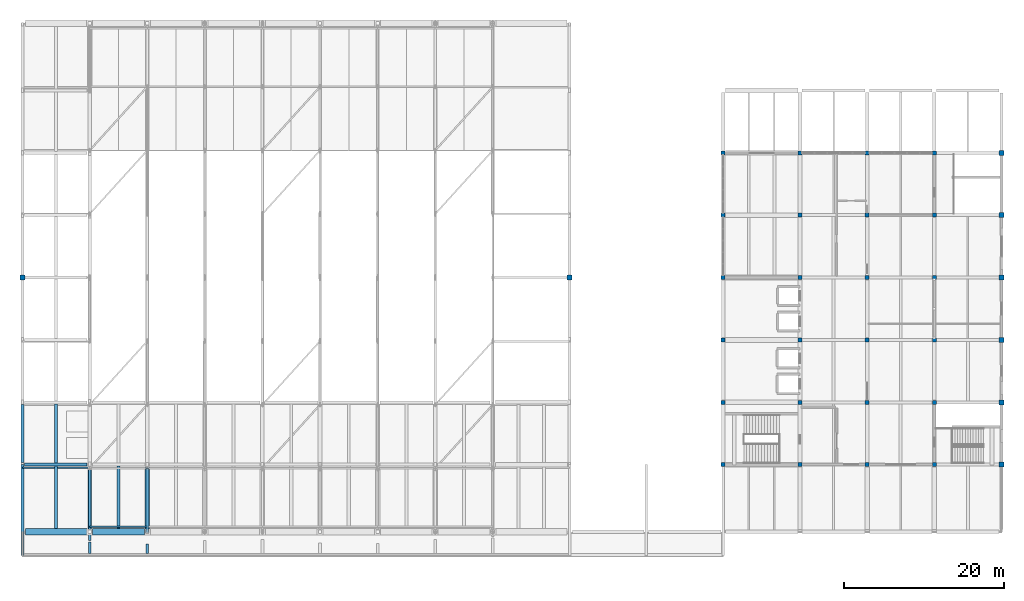
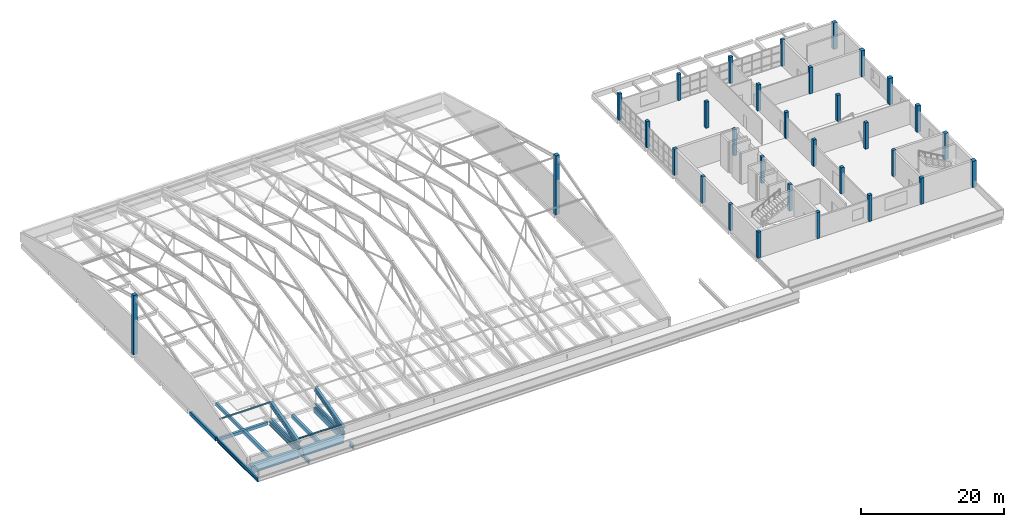
# One storey, part 1 of 53: 32 columns, 16 beams, 4 members.
"""IFC4 building model written with IfcOpenShell, lengths in metres."""

from ifc_helpers import new_model, si_unit, direction, frame, origin, origin_2d, place, context, subcontext, project, spatial, rectangle, hollow_rectangle, i_section, extrude, material, material_profile, profile_set, type_object, element, save


model = new_model("IFC4")

# Units and contexts
model_context = context("Model", 3, precision=1e-05, world=origin(), true_north=direction((0.0, 1.0)))
body_context = subcontext(model_context, "Body", "Model", "MODEL_VIEW")
ifc_project = project(units=[si_unit("LENGTHUNIT", "METRE"), si_unit("AREAUNIT", "SQUARE_METRE"), si_unit("VOLUMEUNIT", "CUBIC_METRE"), si_unit("PLANEANGLEUNIT", "RADIAN"), si_unit("MASSUNIT", "GRAM", prefix="KILO")], contexts=[model_context])

# Site, building, storey
site_placement = place(None, origin())
site = spatial("IfcSite", under=ifc_project, at=site_placement, CompositionType="ELEMENT")
building_placement = place(site_placement, origin())
building = spatial("IfcBuilding", under=site, at=building_placement, Name="Pellamere Symphony Hall", CompositionType="ELEMENT")
storey_placement = place(building_placement, frame((0.0, 0.0, 24.0)))
storey = spatial("IfcBuildingStorey", under=building, at=storey_placement, Name="L05", CompositionType="ELEMENT", Elevation=24.0)

# Columns
ifc_material_1 = material(Name="Concrete 35 MPa", Category="concrete")
ifc_material_profile_1 = material_profile(ifc_material_1, rectangle(XDim=0.5, YDim=0.5, at=origin_2d()), Name="RC 500x500")
ifc_profile_set_1 = profile_set([ifc_material_profile_1], Name="Concrete 35 MPa")
column_type_1 = type_object("IfcColumnType", Name="RC Column CC-10 500x500", PredefinedType="COLUMN", material=ifc_profile_set_1)
for number, where, z_axis, x_axis, name in (
    (1, (138.0, 38.39990234375, 0.0), (0.0, 0.0, 1.0), (1.0, 0.0, 0.0), "Column C-18F (L05)"),
    (2, (138.0, 46.199951171875, 0.0), (0.0, 0.0, 1.0), (1.0, 0.0, 0.0), "Column C-18G (L05)"),
    (3, (138.0, 54.0, 0.0), (0.0, 0.0, 1.0), (1.0, 0.0, 0.0), "Column C-18H (L05)"),
    (4, (138.0, 61.800048828125, 0.0), (0.0, 0.0, 1.0), (1.0, 0.0, 0.0), "Column C-18I (L05)"),
    (5, (138.0, 69.60009765625, 0.0), (0.0, 0.0, 1.0), (1.0, 0.0, 0.0), "Column C-18J (L05)"),
    (6, (138.0, 77.39990234375, 0.0), (0.0, 0.0, 1.0), (1.0, 0.0, 0.0), "Column C-18K (L05)"),
    (7, (147.60009765625, 38.39990234375, 0.0), (0.0, 0.0, 1.0), (1.0, 0.0, 0.0), "Column C-19F (L05)"),
    (8, (147.60009765625, 46.199951171875, 0.0), (0.0, 0.0, 1.0), (1.0, 0.0, 0.0), "Column C-19G (L05)"),
    (9, (147.60009765625, 54.0, 0.0), (0.0, 0.0, 1.0), (1.0, 0.0, 0.0), "Column C-19H (L05)"),
    (10, (147.60009765625, 61.800048828125, 0.0), (0.0, 0.0, 1.0), (1.0, 0.0, 0.0), "Column C-19I (L05)"),
    (11, (147.60009765625, 69.60009765625, 0.0), (0.0, 0.0, 1.0), (1.0, 0.0, 0.0), "Column C-19J (L05)"),
    (12, (147.60009765625, 77.39990234375, 0.0), (0.0, 0.0, 1.0), (1.0, 0.0, 0.0), "Column C-19K (L05)"),
    (13, (156.0, 38.39990234375, 0.0), (0.0, 0.0, 1.0), (1.0, 0.0, 0.0), "Column C-20F (L05)"),
    (14, (156.0, 46.199951171875, 0.0), (0.0, 0.0, 1.0), (1.0, 0.0, 0.0), "Column C-20G (L05)"),
    (15, (156.0, 54.0, 0.0), (0.0, 0.0, 1.0), (1.0, 0.0, 0.0), "Column C-20H (L05)"),
    (16, (156.0, 61.800048828125, 0.0), (0.0, 0.0, 1.0), (1.0, 0.0, 0.0), "Column C-20I (L05)"),
    (17, (156.0, 69.60009765625, 0.0), (0.0, 0.0, 1.0), (1.0, 0.0, 0.0), "Column C-20J (L05)"),
    (18, (156.0, 77.39990234375, 0.0), (0.0, 0.0, 1.0), (1.0, 0.0, 0.0), "Column C-20K (L05)"),
    (19, (164.39990234375, 38.39990234375, 0.0), (0.0, 0.0, 1.0), (1.0, 0.0, 0.0), "Column C-21F (L05)"),
    (20, (164.39990234375, 46.199951171875, 0.0), (0.0, 0.0, 1.0), (1.0, 0.0, 0.0), "Column C-21G (L05)"),
    (21, (164.39990234375, 54.0, 0.0), (0.0, 0.0, 1.0), (1.0, 0.0, 0.0), "Column C-21H (L05)"),
    (22, (164.39990234375, 61.800048828125, 0.0), (0.0, 0.0, 1.0), (1.0, 0.0, 0.0), "Column C-21I (L05)"),
    (23, (164.39990234375, 69.60009765625, 0.0), (0.0, 0.0, 1.0), (1.0, 0.0, 0.0), "Column C-21J (L05)"),
    (24, (164.39990234375, 77.39990234375, 0.0), (0.0, 0.0, 1.0), (1.0, 0.0, 0.0), "Column C-21K (L05)"),
):
    element("IfcColumn", number, at=place(storey_placement, frame(where, z_axis=z_axis, x_axis=x_axis)), inside=storey, type_object=column_type_1, Name=name, PredefinedType="COLUMN", context=body_context, shape_type="SweptSolid", body=[
        extrude(rectangle(XDim=0.5, YDim=0.5, at=origin_2d()), origin(), (0.0, 0.0, 1.0), 4.5),
    ])
ifc_material_profile_2 = material_profile(ifc_material_1, rectangle(XDim=0.6201171875, YDim=0.6201171875, at=origin_2d()), Name="RC 620x620")
ifc_profile_set_2 = profile_set([ifc_material_profile_2], Name="Concrete 35 MPa")
column_type_2 = type_object("IfcColumnType", Name="RC Column CCP-06 620x620", PredefinedType="COLUMN", material=ifc_profile_set_2)
for number, where, z_axis, x_axis, name in (
    (25, (172.800048828125, 38.39990234375, 0.0), (0.0, 0.0, 1.0), (1.0, 0.0, 0.0), "Column C-22F (L05)"),
    (26, (172.800048828125, 46.199951171875, 0.0), (0.0, 0.0, 1.0), (1.0, 0.0, 0.0), "Column C-22G (L05)"),
    (27, (172.800048828125, 54.0, 0.0), (0.0, 0.0, 1.0), (1.0, 0.0, 0.0), "Column C-22H (L05)"),
    (28, (172.800048828125, 61.800048828125, 0.0), (0.0, 0.0, 1.0), (1.0, 0.0, 0.0), "Column C-22I (L05)"),
    (29, (172.800048828125, 69.60009765625, 0.0), (0.0, 0.0, 1.0), (1.0, 0.0, 0.0), "Column C-22J (L05)"),
    (30, (172.800048828125, 77.39990234375, 0.0), (0.0, 0.0, 1.0), (1.0, 0.0, 0.0), "Column C-22K (L05)"),
):
    element("IfcColumn", number, at=place(storey_placement, frame(where, z_axis=z_axis, x_axis=x_axis)), inside=storey, type_object=column_type_2, Name=name, PredefinedType="COLUMN", context=body_context, shape_type="SweptSolid", body=[
        extrude(rectangle(XDim=0.6201171875, YDim=0.6201171875, at=origin_2d()), origin(), (0.0, 0.0, 1.0), 4.5),
    ])
for number, where, z_axis, x_axis, name in (
    (31, (50.39990234375, 61.800048828125, 0.0), (0.0, 0.0, 1.0), (1.0, 0.0, 0.0), "Crystal Gable Ridge Column W"),
    (32, (118.800048828125, 61.800048828125, 0.0), (0.0, 0.0, 1.0), (1.0, 0.0, 0.0), "Crystal Gable Ridge Column E"),
):
    element("IfcColumn", number, at=place(storey_placement, frame(where, z_axis=z_axis, x_axis=x_axis)), inside=storey, type_object=column_type_2, Name=name, PredefinedType="COLUMN", context=body_context, shape_type="SweptSolid", body=[
        extrude(rectangle(XDim=0.6201171875, YDim=0.6201171875, at=origin_2d()), origin(), (0.0, 0.0, 1.0), 10.179931640625),
    ])

# Beams
ifc_material_2 = material(Name="Concrete 50 MPa", Category="concrete")
ifc_material_profile_3 = material_profile(ifc_material_2, rectangle(XDim=0.800048828125, YDim=1.199951171875, at=origin_2d()), Name="RC 800x1200")
ifc_profile_set_3 = profile_set([ifc_material_profile_3], Name="Concrete 50 MPa")
beam_type_1 = type_object("IfcBeamType", Name="RC CB-01 800x1200", PredefinedType="BEAM", material=ifc_profile_set_3)
beam_1_placement = place(storey_placement, frame((50.75, 30.0, -0.60009765625), z_axis=(1.0, 0.0, 0.0), x_axis=(0.0, 1.0, 0.0)))
element("IfcBeam", 33, at=beam_1_placement, inside=storey, type_object=beam_type_1, Name="Girder CB-01-X1995 (L05)", PredefinedType="BEAM", context=body_context, shape_type="SweptSolid", body=[
    extrude(rectangle(XDim=0.800048828125, YDim=1.199951171875, at=origin_2d()), origin(), (0.0, 0.0, 1.0), 7.699951171875),
])
beam_2_placement = place(storey_placement, frame((59.14990234375, 30.0, -0.60009765625), z_axis=(1.0, 0.0, 0.0), x_axis=(0.0, 1.0, 0.0)))
element("IfcBeam", 34, at=beam_2_placement, inside=storey, type_object=beam_type_1, Name="Girder CB-01-X1996 (L05)", PredefinedType="BEAM", context=body_context, shape_type="SweptSolid", body=[
    extrude(rectangle(XDim=0.800048828125, YDim=1.199951171875, at=origin_2d()), origin(), (0.0, 0.0, 1.0), 6.5),
])
ifc_material_3 = material(Name="Concrete 40 MPa", Category="concrete")
ifc_material_profile_4 = material_profile(ifc_material_3, rectangle(XDim=0.550048828125, YDim=0.800048828125, at=origin_2d()), Name="RC 550x800")
ifc_profile_set_4 = profile_set([ifc_material_profile_4], Name="Concrete 40 MPa")
beam_type_2 = type_object("IfcBeamType", Name="RC CB-05 550x800", PredefinedType="BEAM", material=ifc_profile_set_4)
beam_3_placement = place(storey_placement, frame((66.0, 30.35009765625, -0.659912109375), z_axis=(0.0, 1.0, 0.0), x_axis=(-1.0, 0.0, 0.0)))
element("IfcBeam", 35, at=beam_3_placement, inside=storey, type_object=beam_type_2, Name="Girder CB-05-Y2086 (L05)", PredefinedType="BEAM", context=body_context, shape_type="SweptSolid", body=[
    extrude(rectangle(XDim=0.550048828125, YDim=0.800048828125, at=origin_2d()), origin(), (0.0, 0.0, 1.0), 7.77490234375),
])
ifc_material_profile_5 = material_profile(ifc_material_3, rectangle(XDim=0.39990234375, YDim=0.60009765625, at=origin_2d()), Name="RC 400x600")
ifc_profile_set_5 = profile_set([ifc_material_profile_5], Name="Concrete 40 MPa")
beam_type_3 = type_object("IfcBeamType", Name="RC CB-09 400x600", PredefinedType="BEAM", material=ifc_profile_set_5)
for number, where, z_axis, x_axis, name in (
    (36, (54.60009765625, 30.39990234375, -0.574951171875), (0.0, 1.0, 0.0), (-1.0, 0.0, 0.0), "Secondary Floor Beam CB-09-M0604 (L05)"),
    (37, (62.39990234375, 30.39990234375, -0.574951171875), (0.0, 1.0, 0.0), (-1.0, 0.0, 0.0), "Secondary Floor Beam CB-09-M0704 (L05)"),
):
    element("IfcBeam", number, at=place(storey_placement, frame(where, z_axis=z_axis, x_axis=x_axis)), inside=storey, type_object=beam_type_3, Name=name, PredefinedType="BEAM", context=body_context, shape_type="SweptSolid", body=[
        extrude(rectangle(XDim=0.39990234375, YDim=0.60009765625, at=origin_2d()), origin(), (0.0, 0.0, 1.0), 7.81005859375),
    ])
ifc_material_profile_6 = material_profile(ifc_material_1, rectangle(XDim=0.35009765625, YDim=0.550048828125, at=origin_2d()), Name="RC 350x550")
ifc_profile_set_6 = profile_set([ifc_material_profile_6], Name="Concrete 35 MPa")
beam_type_4 = type_object("IfcBeamType", Name="RC CB-10 350x550", PredefinedType="BEAM", material=ifc_profile_set_6)
beam_4_placement = place(storey_placement, frame((54.60009765625, 38.590087890625, -0.550048828125), z_axis=(0.0, 1.0, 0.0), x_axis=(-1.0, 0.0, 0.0)))
element("IfcBeam", 38, at=beam_4_placement, inside=storey, type_object=beam_type_4, Name="Secondary Floor Beam CB-10-M0605 (L05)", PredefinedType="BEAM", context=body_context, shape_type="SweptSolid", body=[
    extrude(rectangle(XDim=0.35009765625, YDim=0.550048828125, at=origin_2d()), origin(), (0.0, 0.0, 1.0), 7.419921875),
])
ifc_material_profile_7 = material_profile(ifc_material_3, rectangle(XDim=0.39990234375, YDim=0.699951171875, at=origin_2d()), Name="RC 400x700")
ifc_profile_set_7 = profile_set([ifc_material_profile_7], Name="Concrete 40 MPa")
beam_type_5 = type_object("IfcBeamType", Name="RC CB-13 400x700", PredefinedType="SPANDREL", material=ifc_profile_set_7)
beam_5_placement = place(storey_placement, frame((50.39990234375, 38.675048828125, -0.610107421875), z_axis=(0.0, 1.0, 0.0), x_axis=(-1.0, 0.0, 0.0)))
element("IfcBeam", 39, at=beam_5_placement, inside=storey, type_object=beam_type_5, Name="Girder CB-13-Y2071 (L05)", PredefinedType="SPANDREL", context=body_context, shape_type="SweptSolid", body=[
    extrude(rectangle(XDim=0.39990234375, YDim=0.699951171875, at=origin_2d()), origin(), (0.0, 0.0, 1.0), 7.25),
])
ifc_material_profile_8 = material_profile(ifc_material_3, rectangle(XDim=0.3798828125, YDim=0.52001953125, at=origin_2d()), Name="RC 380x520")
ifc_profile_set_8 = profile_set([ifc_material_profile_8], Name="Concrete 40 MPa")
beam_type_6 = type_object("IfcBeamType", Name="RC CB-21 380x520", PredefinedType="BEAM", material=ifc_profile_set_8)
beam_6_placement = place(storey_placement, frame((50.675048828125, 38.39990234375, -0.52001953125), z_axis=(1.0, 0.0, 0.0), x_axis=(0.0, 1.0, 0.0)))
element("IfcBeam", 40, at=beam_6_placement, inside=storey, type_object=beam_type_6, Name="Girder CB-21-X2010 (L05)", PredefinedType="BEAM", context=body_context, shape_type="SweptSolid", body=[
    extrude(rectangle(XDim=0.3798828125, YDim=0.52001953125, at=origin_2d()), origin(), (0.0, 0.0, 1.0), 7.77490234375),
])
ifc_material_4 = material(Name="Steel CSA G40.21 350W", Category="steel")
ifc_material_profile_9 = material_profile(ifc_material_4, i_section(OverallWidth=0.41796875, OverallDepth=0.912109375, WebThickness=0.019287109375, FlangeThickness=0.031982421875, at=origin_2d()), Name="W920X342")
ifc_profile_set_9 = profile_set([ifc_material_profile_9], Name="Steel CSA G40.21 350W")
beam_type_7 = type_object("IfcBeamType", Name="Steel Beam SB-01 W920X342", PredefinedType="BEAM", material=ifc_profile_set_9)
beam_7_placement = place(storey_placement, frame((58.800048828125, 30.0, 0.779052734375), z_axis=(0.0, 0.964090435702, 0.265574154969), x_axis=(-1.0, 0.0, 0.0)))
element("IfcBeam", 41, at=beam_7_placement, inside=storey, type_object=beam_type_7, Name="Roof Truss TR-01 Top Chord 1", PredefinedType="BEAM", context=body_context, shape_type="SweptSolid", body=[
    extrude(i_section(OverallWidth=0.41796875, OverallDepth=0.912109375, WebThickness=0.019287109375, FlangeThickness=0.031982421875, at=origin_2d()), origin(), (0.0, 0.0, 1.0), 8.24609375),
])
ifc_material_profile_10 = material_profile(ifc_material_4, i_section(OverallWidth=0.39990234375, OverallDepth=0.85498046875, WebThickness=0.018310546875, FlangeThickness=0.029296875, at=origin_2d()), Name="W840X299")
ifc_profile_set_10 = profile_set([ifc_material_profile_10], Name="Steel CSA G40.21 350W")
beam_type_8 = type_object("IfcBeamType", Name="Steel Beam SB-03 W840X299", PredefinedType="BEAM", material=ifc_profile_set_10)
beam_8_placement = place(storey_placement, frame((66.0, 30.0, 0.8076171875), z_axis=(0.0, 0.964090435702, 0.265574154969), x_axis=(-1.0, 0.0, 0.0)))
element("IfcBeam", 42, at=beam_8_placement, inside=storey, type_object=beam_type_8, Name="Roof Truss TR-02 Top Chord 1", PredefinedType="BEAM", context=body_context, shape_type="SweptSolid", body=[
    extrude(i_section(OverallWidth=0.39990234375, OverallDepth=0.85498046875, WebThickness=0.018310546875, FlangeThickness=0.029296875, at=origin_2d()), origin(), (0.0, 0.0, 1.0), 8.24609375),
])
ifc_material_profile_11 = material_profile(ifc_material_4, i_section(OverallWidth=0.3291015625, OverallDepth=0.635009765625, WebThickness=0.017822265625, FlangeThickness=0.031005859375, at=origin_2d()), Name="W610X241")
ifc_profile_set_11 = profile_set([ifc_material_profile_11], Name="Steel CSA G40.21 350W")
beam_type_9 = type_object("IfcBeamType", Name="Steel Beam SB-09 W610X241", PredefinedType="BEAM", material=ifc_profile_set_11)
beam_9_placement = place(storey_placement, frame((58.800048828125, 30.0, 0.159912109375), z_axis=(0.0, 1.0, 0.0), x_axis=(-1.0, 0.0, 0.0)))
element("IfcBeam", 43, at=beam_9_placement, inside=storey, type_object=beam_type_9, Name="Roof Truss TR-01 Bottom Chord 1", PredefinedType="BEAM", context=body_context, shape_type="SweptSolid", body=[
    extrude(i_section(OverallWidth=0.3291015625, OverallDepth=0.635009765625, WebThickness=0.017822265625, FlangeThickness=0.031005859375, at=origin_2d()), origin(), (0.0, 0.0, 1.0), 7.949951171875),
])
beam_10_placement = place(storey_placement, frame((50.39990234375, 27.050048828125, -0.5849609375), z_axis=(0.0, 1.0, 0.0), x_axis=(-1.0, 0.0, 0.0)))
element("IfcBeam", 44, at=beam_10_placement, inside=storey, type_object=beam_type_9, Name="Winter-Garden Roof Cantilever Girder 01", PredefinedType="BEAM", context=body_context, shape_type="SweptSolid", body=[
    extrude(i_section(OverallWidth=0.3291015625, OverallDepth=0.635009765625, WebThickness=0.017822265625, FlangeThickness=0.031005859375, at=origin_2d()), origin(), (0.0, 0.0, 1.0), 11.349853515625),
])
beam_11_placement = place(storey_placement, frame((58.800048828125, 28.92431640625, -0.5849609375), z_axis=(0.0, 1.0, 0.0), x_axis=(-1.0, 0.0, 0.0)))
element("IfcBeam", 45, at=beam_11_placement, inside=storey, type_object=beam_type_9, Name="Winter-Garden Roof Cantilever Girder 02", PredefinedType="BEAM", context=body_context, shape_type="SweptSolid", body=[
    extrude(i_section(OverallWidth=0.3291015625, OverallDepth=0.635009765625, WebThickness=0.017822265625, FlangeThickness=0.031005859375, at=origin_2d()), origin(), (0.0, 0.0, 1.0), 9.4755859375),
])
beam_12_placement = place(storey_placement, frame((58.800048828125, 27.284912109375, -0.5849609375), z_axis=(0.0, 1.0, 0.0), x_axis=(-1.0, 0.0, 0.0)))
element("IfcBeam", 46, at=beam_12_placement, inside=storey, type_object=beam_type_9, Name="Winter-Garden Canopy Outrigger 01", PredefinedType="BEAM", context=body_context, shape_type="SweptSolid", body=[
    extrude(i_section(OverallWidth=0.3291015625, OverallDepth=0.635009765625, WebThickness=0.017822265625, FlangeThickness=0.031005859375, at=origin_2d()), origin(), (0.0, 0.0, 1.0), 1.429443359375),
])
beam_13_placement = place(storey_placement, frame((66.0, 27.284912109375, -0.5849609375), z_axis=(0.0, 1.0, 0.0), x_axis=(-1.0, 0.0, 0.0)))
element("IfcBeam", 47, at=beam_13_placement, inside=storey, type_object=beam_type_9, Name="Winter-Garden Canopy Outrigger 02", PredefinedType="BEAM", context=body_context, shape_type="SweptSolid", body=[
    extrude(i_section(OverallWidth=0.3291015625, OverallDepth=0.635009765625, WebThickness=0.017822265625, FlangeThickness=0.031005859375, at=origin_2d()), origin(), (0.0, 0.0, 1.0), 1.17333984375),
])
ifc_material_profile_12 = material_profile(ifc_material_4, i_section(OverallWidth=0.324951171875, OverallDepth=0.615966796875, WebThickness=0.013916015625, FlangeThickness=0.021484375, at=origin_2d()), Name="W610X174")
ifc_profile_set_12 = profile_set([ifc_material_profile_12], Name="Steel CSA G40.21 350W")
beam_type_10 = type_object("IfcBeamType", Name="Steel Beam SB-10 W610X174", PredefinedType="BEAM", material=ifc_profile_set_12)
beam_14_placement = place(storey_placement, frame((66.0, 30.0, 0.159912109375), z_axis=(0.0, 1.0, 0.0), x_axis=(-1.0, 0.0, 0.0)))
element("IfcBeam", 48, at=beam_14_placement, inside=storey, type_object=beam_type_10, Name="Roof Truss TR-02 Bottom Chord 1", PredefinedType="BEAM", context=body_context, shape_type="SweptSolid", body=[
    extrude(i_section(OverallWidth=0.324951171875, OverallDepth=0.615966796875, WebThickness=0.013916015625, FlangeThickness=0.021484375, at=origin_2d()), origin(), (0.0, 0.0, 1.0), 7.949951171875),
])

# Members
ifc_material_profile_13 = material_profile(ifc_material_4, hollow_rectangle(XDim=0.355712890625, YDim=0.355712890625, WallThickness=0.015869140625, at=origin_2d()), Name="HSS356X356X16")
ifc_profile_set_13 = profile_set([ifc_material_profile_13], Name="Steel CSA G40.21 350W")
member_type_1 = type_object("IfcMemberType", Name="Steel Member SM-01 HSS356X356X16", PredefinedType="CHORD", material=ifc_profile_set_13)
member_1_placement = place(storey_placement, frame((58.800048828125, 30.0, 0.159912109375), z_axis=(0.0, 0.942870531365, 0.333159362893), x_axis=(-1.0, 0.0, 0.0)))
element("IfcMember", 49, at=member_1_placement, inside=storey, type_object=member_type_1, Name="Roof Truss TR-01 Web Diagonal 1", PredefinedType="CHORD", context=body_context, shape_type="SweptSolid", body=[
    extrude(hollow_rectangle(XDim=0.355712890625, YDim=0.355712890625, WallThickness=0.015869140625, at=origin_2d()), origin(), (0.0, 0.0, 1.0), 8.431640625),
])
ifc_material_profile_14 = material_profile(ifc_material_4, hollow_rectangle(XDim=0.3046875, YDim=0.3046875, WallThickness=0.0126953125, at=origin_2d()), Name="HSS305X305X13")
ifc_profile_set_14 = profile_set([ifc_material_profile_14], Name="Steel CSA G40.21 350W")
member_type_2 = type_object("IfcMemberType", Name="Steel Member SM-02 HSS305X305X13", PredefinedType="CHORD", material=ifc_profile_set_14)
member_2_placement = place(storey_placement, frame((66.0, 30.0, 0.159912109375), z_axis=(0.0, 0.941802751174, 0.336165997509), x_axis=(-1.0, 0.0, 0.0)))
element("IfcMember", 50, at=member_2_placement, inside=storey, type_object=member_type_2, Name="Roof Truss TR-02 Web Diagonal 1", PredefinedType="CHORD", context=body_context, shape_type="SweptSolid", body=[
    extrude(hollow_rectangle(XDim=0.3046875, YDim=0.3046875, WallThickness=0.0126953125, at=origin_2d()), origin(), (0.0, 0.0, 1.0), 8.441162109375),
])
ifc_material_profile_15 = material_profile(ifc_material_4, i_section(OverallWidth=0.2041015625, OverallDepth=0.2060546875, WebThickness=0.0078125, FlangeThickness=0.0126953125, at=origin_2d()), Name="W200X52")
ifc_profile_set_15 = profile_set([ifc_material_profile_15], Name="Steel CSA G40.21 350W")
member_type_3 = type_object("IfcMemberType", Name="Steel Member SM-15 W200X52", PredefinedType="PURLIN", material=ifc_profile_set_15)
member_3_placement = place(storey_placement, frame((58.800048828125, 30.64990234375, 1.31103515625), z_axis=(1.0, 0.0, 0.0), x_axis=(0.0, 1.0, 0.0)))
element("IfcMember", 51, at=member_3_placement, inside=storey, type_object=member_type_3, Name="Folded Roof Eave Purlin 1.0", PredefinedType="PURLIN", context=body_context, shape_type="SweptSolid", body=[
    extrude(i_section(OverallWidth=0.2041015625, OverallDepth=0.2060546875, WebThickness=0.0078125, FlangeThickness=0.0126953125, at=origin_2d()), origin(), (0.0, 0.0, 1.0), 7.199951171875),
])
member_4_placement = place(storey_placement, frame((50.39990234375, 38.0, 3.203857421875), z_axis=(1.0, 0.0, 0.0), x_axis=(0.0, 1.0, 0.0)))
element("IfcMember", 52, at=member_4_placement, inside=storey, type_object=member_type_3, Name="Crystal Foyer Roof Purlin W.1", PredefinedType="PURLIN", context=body_context, shape_type="SweptSolid", body=[
    extrude(i_section(OverallWidth=0.2041015625, OverallDepth=0.2060546875, WebThickness=0.0078125, FlangeThickness=0.0126953125, at=origin_2d()), origin(), (0.0, 0.0, 1.0), 8.400146484375),
])

save(model, "model.ifc")
